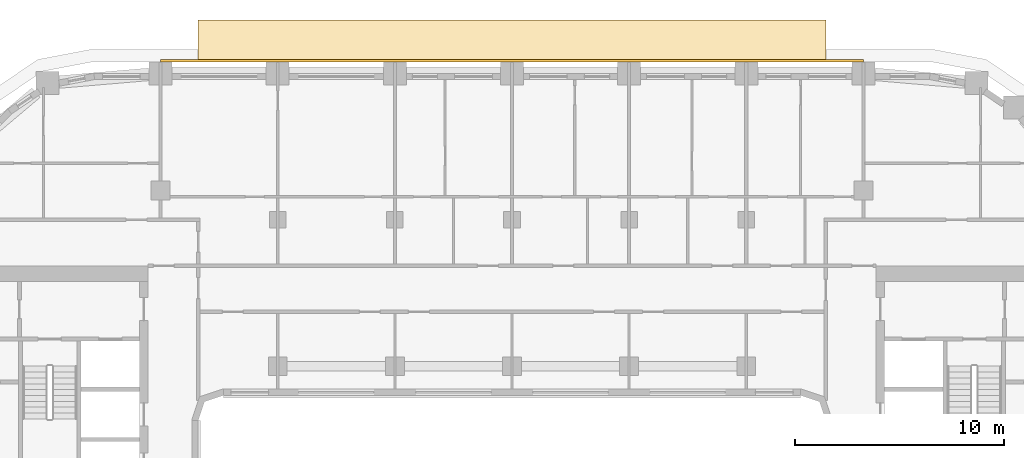
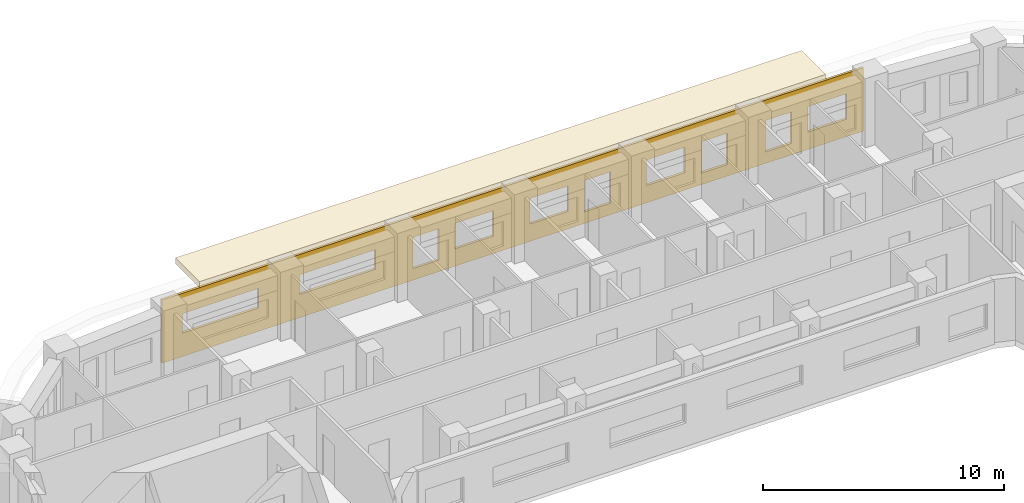
# One storey, part 21 of 22: 2 coverings.
"""IFC4 building model written with IfcOpenShell, lengths in metres."""

import ifcopenshell
import ifcopenshell.guid

model = None  # the IFC model being written
_history = None  # IfcOwnerHistory: only IFC2X3 demands one
_inside = {}  # id of a spatial element -> (the spatial element, [elements in it])
_under = {}  # id of a project, library or spatial element -> (it, [spatial elements below it])
_declared = {}  # id of a project -> (the project, [libraries it declares])
_typed = {}  # id of a type object -> (the type object, [elements of that type])
_made_of = {}  # id of a material, layer set ... -> (it, [elements and type objects made of it])


def new_model(schema):
    """Start an empty IFC model of exactly this schema.

    Asked for "IFC4X3", IfcOpenShell would pick the latest addendum, in which some entities
    have other attributes; the version numbers below select the first issue.
    IFC2X3 requires an IfcOwnerHistory on every rooted entity: one is made here for all.
    """
    global model, _history
    if schema == "IFC4X3":
        model = ifcopenshell.file(schema_version=(4, 3, 0, 0))
    else:
        model = ifcopenshell.file(schema=schema)
    _inside.clear()
    _under.clear()
    _declared.clear()
    _typed.clear()
    _made_of.clear()
    _history = None
    if model.schema == "IFC2X3":
        org = make("IfcOrganization", Name="unknown")
        user = make(
            "IfcPersonAndOrganization",
            ThePerson=make("IfcPerson", FamilyName="unknown"),
            TheOrganization=org,
        )
        app = make(
            "IfcApplication",
            ApplicationDeveloper=org,
            Version="unknown",
            ApplicationFullName="unknown",
            ApplicationIdentifier="unknown",
        )
        _history = make(
            "IfcOwnerHistory",
            OwningUser=user,
            OwningApplication=app,
            ChangeAction="ADDED",
            CreationDate=0,
        )
    return model


def make(cls, **values):
    """One entity of the class cls with the attributes given. An attribute that is None is left unset."""
    return model.create_entity(
        cls, **{name: value for name, value in values.items() if value is not None}
    )


def rooted(cls, **values):
    """An entity with a GlobalId (a new one), such as an element, a storey or a relation."""
    return make(cls, GlobalId=ifcopenshell.guid.new(), OwnerHistory=_history, **values)


def si_unit(unit_type, name, prefix=None):
    """IfcSIUnit, for example si_unit("LENGTHUNIT", "METRE", prefix="MILLI")."""
    return make("IfcSIUnit", UnitType=unit_type, Prefix=prefix, Name=name)


def assignment(units):
    """IfcUnitAssignment: the units of a project."""
    return None if units is None else make("IfcUnitAssignment", Units=units)


def point(xyz):
    """IfcCartesianPoint."""
    return None if xyz is None else make("IfcCartesianPoint", Coordinates=xyz)


def direction(xyz):
    """IfcDirection."""
    return None if xyz is None else make("IfcDirection", DirectionRatios=xyz)


def frame(location, z_axis=None, x_axis=None):
    """IfcAxis2Placement3D, a coordinate frame: its origin and axes. An axis left out is left unset."""
    return make(
        "IfcAxis2Placement3D",
        Location=point(location),
        Axis=direction(z_axis),
        RefDirection=direction(x_axis),
    )


def origin():
    """The frame at (0, 0, 0) with its axes left unset."""
    return frame((0.0, 0.0, 0.0))


def place(relative_to, where):
    """IfcLocalPlacement: puts the frame where relative to a parent placement (None: the world)."""
    return make(
        "IfcLocalPlacement", PlacementRelTo=relative_to, RelativePlacement=where
    )


def context(
    kind, dimensions, precision=None, world=None, true_north=None, identifier=None
):
    """IfcGeometricRepresentationContext, for example the 3D "Model" context."""
    return make(
        "IfcGeometricRepresentationContext",
        ContextIdentifier=identifier,
        ContextType=kind,
        CoordinateSpaceDimension=dimensions,
        Precision=precision,
        WorldCoordinateSystem=world,
        TrueNorth=true_north,
    )


def subcontext(parent, identifier, kind, view, scale=None):
    """IfcGeometricRepresentationSubContext, for example "Body" below "Model"."""
    return make(
        "IfcGeometricRepresentationSubContext",
        ContextIdentifier=identifier,
        ContextType=kind,
        ParentContext=parent,
        TargetScale=scale,
        TargetView=view,
    )


def project(units=None, contexts=None):
    """IfcProject with its units and contexts."""
    return rooted(
        "IfcProject",
        Name="project",
        RepresentationContexts=contexts,
        UnitsInContext=assignment(units),
    )


def spatial(cls, under=None, at=None, **own):
    """A site, building, storey or space (cls), placed at a placement, below another one or the project."""
    s = rooted(cls, ObjectPlacement=at, **own)
    if under is not None:
        _under.setdefault(under.id(), (under, []))[1].append(s)
    return s


def polyline(points):
    """IfcPolyline through the points."""
    return make("IfcPolyline", Points=[point(p) for p in points])


def outline(outer, holes=None, kind="AREA"):
    """IfcArbitraryClosedProfileDef: a profile drawn as a closed curve; with holes, ...WithVoids."""
    if holes is None:
        return make("IfcArbitraryClosedProfileDef", ProfileType=kind, OuterCurve=outer)
    return make(
        "IfcArbitraryProfileDefWithVoids",
        ProfileType=kind,
        OuterCurve=outer,
        InnerCurves=holes,
    )


def extrude(swept, where, along, depth):
    """IfcExtrudedAreaSolid: the profile swept, set in the frame where, extruded along a direction by depth."""
    return make(
        "IfcExtrudedAreaSolid",
        SweptArea=swept,
        Position=where,
        ExtrudedDirection=direction(along),
        Depth=depth,
    )


def shape(context_of_items, identifier, shape_type, items):
    """IfcShapeRepresentation: the items that make up one representation, for example the "Body"."""
    return make(
        "IfcShapeRepresentation",
        ContextOfItems=context_of_items,
        RepresentationIdentifier=identifier,
        RepresentationType=shape_type,
        Items=items,
    )


def material(Name=None, Category=None):
    """IfcMaterial."""
    return make("IfcMaterial", Name=Name, Category=Category)


def layer(
    of_material, thickness, ventilated=None, Name=None, Category=None, Priority=None
):
    """IfcMaterialLayer: one layer of a wall or slab, of a material (None: an air gap)."""
    return make(
        "IfcMaterialLayer",
        Material=of_material,
        LayerThickness=thickness,
        IsVentilated=ventilated,
        Name=Name,
        Category=Category,
        Priority=Priority,
    )


def layer_set(layers, Name=None):
    """IfcMaterialLayerSet."""
    return make("IfcMaterialLayerSet", MaterialLayers=layers, LayerSetName=Name)


def made_of(thing, what):
    """Note that an element or type object is made of a material, layer set ...; save() writes the relation."""
    if what is not None:
        _made_of.setdefault(what.id(), (what, []))[1].append(thing)
    return thing


def type_object(cls, material=None, **own):
    """A type object (cls), such as IfcWallType, which elements share."""
    return made_of(rooted(cls, **own), material)


def element(
    cls,
    number,
    at=None,
    inside=None,
    cuts=None,
    type_object=None,
    material=None,
    context=None,
    identifier="Body",
    shape_type=None,
    held_by="IfcProductDefinitionShape",
    body=None,
    shapes=None,
    **own,
):
    """One element of the class cls, such as IfcWall. Its Tag is "e" and its number.

    at: its placement. inside: the storey or other place that contains it. cuts: it is an
    opening in that element (IfcRelVoidsElement). A single representation is given by context,
    identifier, shape_type and body (its items); several are given by shapes. held_by: the class
    of the entity that holds the representations. save() writes the other relations.
    """
    e = rooted(cls, Tag="e%d" % number, ObjectPlacement=at, **own)
    if body is not None:
        shapes = [shape(context, identifier, shape_type, body)]
    if shapes is not None:
        e.Representation = make(held_by, Representations=shapes)
    if inside is not None:
        _inside.setdefault(inside.id(), (inside, []))[1].append(e)
    if cuts is not None:
        rooted(
            "IfcRelVoidsElement", RelatingBuildingElement=cuts, RelatedOpeningElement=e
        )
    if type_object is not None:
        _typed.setdefault(type_object.id(), (type_object, []))[1].append(e)
    return made_of(e, material)


def aggregate(whole, parts):
    """IfcRelAggregates: a whole, such as a stair, and the parts it consists of."""
    return rooted("IfcRelAggregates", RelatingObject=whole, RelatedObjects=parts)


def save(model, path):
    """Write the relations noted so far, then the file.

    IfcRelAggregates (storeys below a building ...), IfcRelContainedInSpatialStructure (elements
    in a storey), IfcRelDefinesByType, IfcRelAssociatesMaterial and IfcRelDeclares: one each for
    every whole, place, type object, material and project.
    """
    for whole, parts in _under.values():
        aggregate(whole, parts)
    for where, things in _inside.values():
        rooted(
            "IfcRelContainedInSpatialStructure",
            RelatedElements=things,
            RelatingStructure=where,
        )
    for kind, things in _typed.values():
        rooted("IfcRelDefinesByType", RelatedObjects=things, RelatingType=kind)
    for what, things in _made_of.values():
        rooted("IfcRelAssociatesMaterial", RelatedObjects=things, RelatingMaterial=what)
    for by, libraries in _declared.values():
        rooted("IfcRelDeclares", RelatingContext=by, RelatedDefinitions=libraries)
    model.write(path)


model = new_model("IFC4")

# Units and contexts
model_context = context("Model", 3, precision=1e-05, world=origin(), true_north=direction((0.0, 1.0)))
body_context = subcontext(model_context, "Body", "Model", "MODEL_VIEW")
ifc_project = project(units=[si_unit("LENGTHUNIT", "METRE"), si_unit("AREAUNIT", "SQUARE_METRE"), si_unit("VOLUMEUNIT", "CUBIC_METRE"), si_unit("PLANEANGLEUNIT", "RADIAN"), si_unit("MASSUNIT", "GRAM", prefix="KILO")], contexts=[model_context])

# Site, building, storey
site_placement = place(None, origin())
site = spatial("IfcSite", under=ifc_project, at=site_placement, CompositionType="ELEMENT")
building_placement = place(site_placement, origin())
building = spatial("IfcBuilding", under=site, at=building_placement, Name="Kiln Ring Residences", CompositionType="ELEMENT")
storey_placement = place(building_placement, frame((0.0, 0.0, 139.60009765625)))
storey = spatial("IfcBuildingStorey", under=building, at=storey_placement, Name="L35", CompositionType="ELEMENT", Elevation=139.60009765625)

# Coverings
ifc_material_1 = material(Name="Brick masonry, dark clay brick", Category="masonry")
ifc_layer_1 = layer(ifc_material_1, 0.1201171875)
ifc_layer_set_1 = layer_set([ifc_layer_1], Name="RAINSCREEN PANEL 120")
covering_type_1 = type_object("IfcCoveringType", Name="RAINSCREEN PANEL 120", PredefinedType="CLADDING", material=ifc_layer_set_1)
covering_1_placement = place(storey_placement, frame((16.800048828125, 23.010009765625, 0.0), z_axis=(0.0, 0.0, 1.0), x_axis=(-1.0, 0.0, 0.0)))
element("IfcCovering", 1, at=covering_1_placement, inside=storey, type_object=covering_type_1, Name="RAINSCREEN L35", PredefinedType="CLADDING", context=body_context, shape_type="SweptSolid", body=[
    extrude(outline(polyline([(0.0, 0.0), (33.60009765625, 0.0), (33.60009765625, 3.199951171875), (0.0, 3.199951171875), (0.0, 0.0)]), holes=[polyline([(3.4423828125, 0.579833984375), (4.6826171875, 0.579833984375), (4.6826171875, 2.169921875), (3.4423828125, 2.169921875), (3.4423828125, 0.579833984375)]), polyline([(6.517578125, 0.579833984375), (7.757568359375, 0.579833984375), (7.757568359375, 2.169921875), (6.517578125, 2.169921875), (6.517578125, 0.579833984375)]), polyline([(12.117431640625, 0.579833984375), (13.357421875, 0.579833984375), (13.357421875, 2.169921875), (12.117431640625, 2.169921875), (12.117431640625, 0.579833984375)]), polyline([(20.342529296875, 2.169921875), (20.342529296875, 0.579833984375), (21.58251953125, 0.579833984375), (21.58251953125, 2.169921875), (20.342529296875, 2.169921875)]), polyline([(0.8173828125, 2.169921875), (0.8173828125, 0.8798828125), (2.657470703125, 0.8798828125), (2.657470703125, 2.169921875), (0.8173828125, 2.169921875)]), polyline([(8.54248046875, 0.8798828125), (10.382568359375, 0.8798828125), (10.382568359375, 2.169921875), (8.54248046875, 2.169921875), (8.54248046875, 0.8798828125)]), polyline([(14.142578125, 0.8798828125), (15.982421875, 0.8798828125), (15.982421875, 2.169921875), (14.142578125, 2.169921875), (14.142578125, 0.8798828125)]), polyline([(17.717529296875, 0.8798828125), (19.5576171875, 0.8798828125), (19.5576171875, 2.169921875), (17.717529296875, 2.169921875), (17.717529296875, 0.8798828125)]), polyline([(23.3798828125, 2.169921875), (23.3798828125, 1.179931640625), (27.02001953125, 1.179931640625), (27.02001953125, 2.169921875), (23.3798828125, 2.169921875)]), polyline([(28.97998046875, 2.169921875), (28.97998046875, 1.179931640625), (32.6201171875, 1.179931640625), (32.6201171875, 2.169921875), (28.97998046875, 2.169921875)])]), frame((0.0, 0.06005859375, 0.0), z_axis=(0.0, -1.0, 0.0), x_axis=(1.0, 0.0, 0.0)), (0.0, 0.0, 1.0), 0.1201171875),
])
ifc_material_2 = material(Name="Black powder-coated steel", Category="steel")
ifc_layer_2 = layer(ifc_material_2, 0.300048828125)
ifc_layer_set_2 = layer_set([ifc_layer_2], Name="SUNSHADE BAND 2000")
covering_type_2 = type_object("IfcCoveringType", Name="SUNSHADE BAND 2000", PredefinedType="CLADDING", material=ifc_layer_set_2)
covering_2_placement = place(storey_placement, frame((0.0, 0.0, 3.199951171875)))
element("IfcCovering", 2, at=covering_2_placement, inside=storey, type_object=covering_type_2, Name="SUNSHADE BAND L35", PredefinedType="CLADDING", context=body_context, shape_type="SweptSolid", body=[
    extrude(outline(polyline([(15.0, 24.949951171875), (-15.0, 24.949951171875), (-15.0, 22.949951171875), (15.0, 22.949951171875), (15.0, 24.949951171875)])), origin(), (0.0, 0.0, 1.0), 0.300048828125),
])

save(model, "model.ifc")
